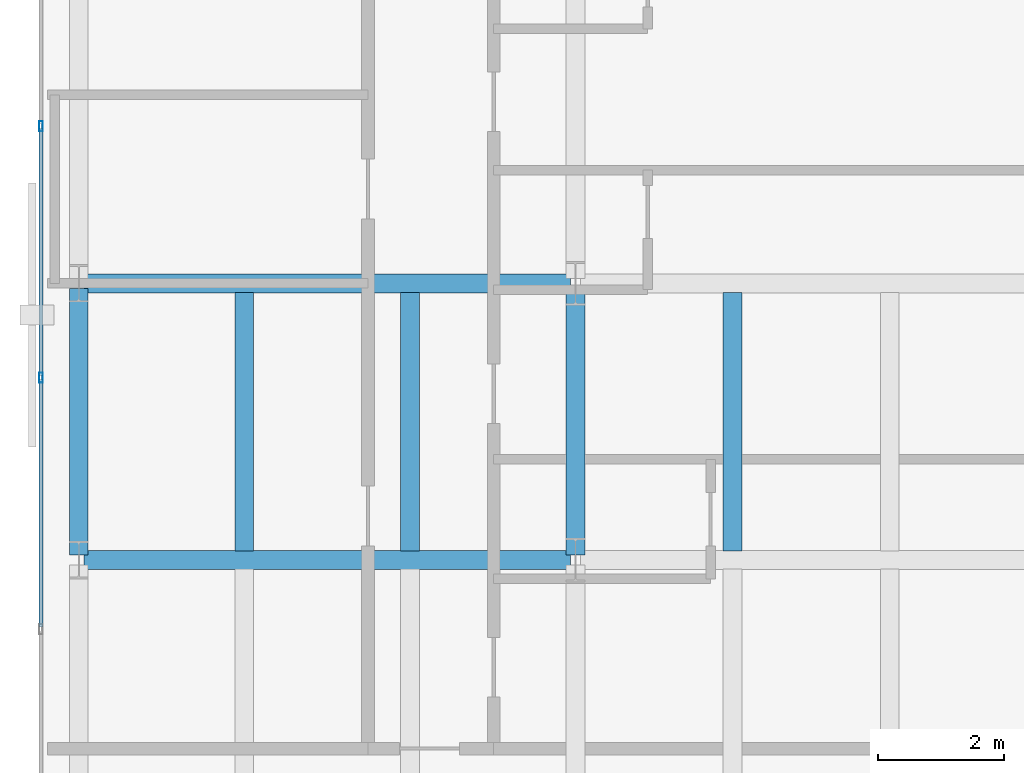
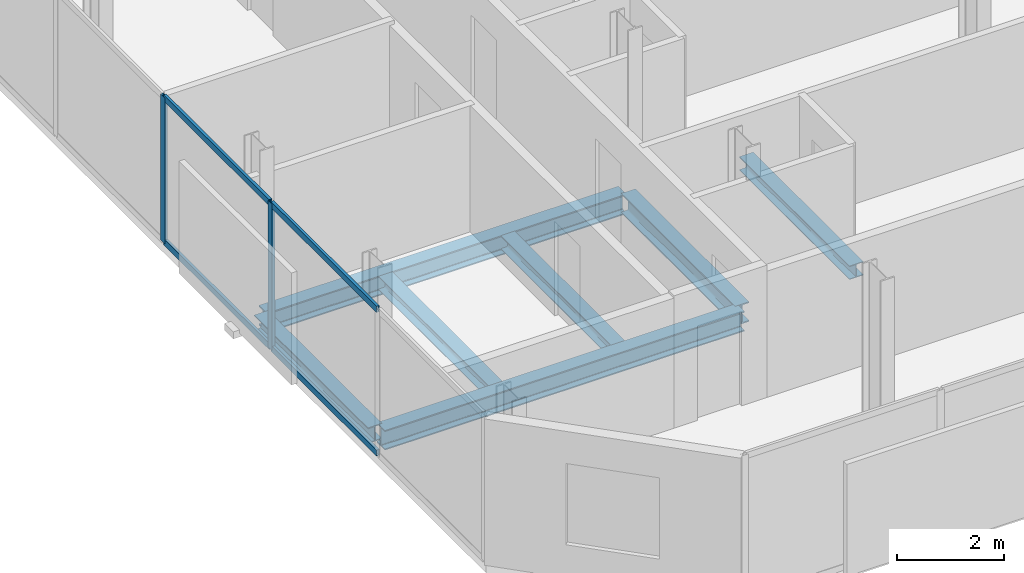
# One storey, part 5 of 32: 7 beams, 6 members, 1 element without a shape of its own.
"""IFC4 building model written with IfcOpenShell, lengths in metres."""

from ifc_helpers import new_model, si_unit, direction, frame, origin, origin_2d, place, context, subcontext, project, spatial, hollow_rectangle, i_section, extrude, material, layer, layer_set, material_profile, profile_set, type_object, element, aggregate, save


model = new_model("IFC4")

# Units and contexts
model_context = context("Model", 3, precision=1e-05, world=origin(), true_north=direction((0.0, 1.0)))
body_context = subcontext(model_context, "Body", "Model", "MODEL_VIEW")
ifc_project = project(units=[si_unit("LENGTHUNIT", "METRE"), si_unit("AREAUNIT", "SQUARE_METRE"), si_unit("VOLUMEUNIT", "CUBIC_METRE"), si_unit("PLANEANGLEUNIT", "RADIAN"), si_unit("MASSUNIT", "GRAM", prefix="KILO")], contexts=[model_context])

# Site, building, storey
site_placement = place(None, origin())
site = spatial("IfcSite", under=ifc_project, at=site_placement, CompositionType="ELEMENT")
building_placement = place(site_placement, origin())
building = spatial("IfcBuilding", under=site, at=building_placement, Name="Catumbela Crestline Tower", CompositionType="ELEMENT")
storey_placement = place(building_placement, frame((0.0, 0.0, 122.4)))
storey = spatial("IfcBuildingStorey", under=building, at=storey_placement, Name="L31", CompositionType="ELEMENT", Elevation=122.4)

# Beams
ifc_material_1 = material(Name="Structural steel S355J2", Category="steel")
ifc_material_profile_1 = material_profile(ifc_material_1, i_section(OverallWidth=0.3, OverallDepth=0.45, WebThickness=0.014, FlangeThickness=0.026, FilletRadius=0.027, at=origin_2d()), Name="HEB 450")
ifc_profile_set_1 = profile_set([ifc_material_profile_1], Name="Structural steel S355J2")
beam_type_1 = type_object("IfcBeamType", Name="BG-HEB450", PredefinedType="BEAM", material=ifc_profile_set_1)
for number, where, z_axis, x_axis, name in (
    (1, (0.68, 13.6, -0.485), (1.0, 0.0, 0.0), (0.0, 1.0, 0.0), "L31 Beam BM-L31-WEW46"),
    (2, (0.68, 18.0, -0.485), (1.0, 0.0, 0.0), (0.0, 1.0, 0.0), "L31 Beam BM-L31-WEW49"),
):
    element("IfcBeam", number, at=place(storey_placement, frame(where, z_axis=z_axis, x_axis=x_axis)), inside=storey, type_object=beam_type_1, Name=name, PredefinedType="BEAM", context=body_context, shape_type="SweptSolid", body=[
        extrude(i_section(OverallWidth=0.3, OverallDepth=0.45, WebThickness=0.014, FlangeThickness=0.026, FilletRadius=0.027, at=origin_2d()), origin(), (0.0, 0.0, 1.0), 7.74),
    ])
beam_1_placement = place(storey_placement, frame((8.5, 13.68, -0.485), z_axis=(0.0, 1.0, 0.0), x_axis=(-1.0, 0.0, 0.0)))
element("IfcBeam", 3, at=beam_1_placement, inside=storey, type_object=beam_type_1, Name="L31 Beam BM-L31-WNS56", PredefinedType="BEAM", context=body_context, shape_type="SweptSolid", body=[
    extrude(i_section(OverallWidth=0.3, OverallDepth=0.45, WebThickness=0.014, FlangeThickness=0.026, FilletRadius=0.027, at=origin_2d()), origin(), (0.0, 0.0, 1.0), 4.24),
])
ifc_material_profile_2 = material_profile(ifc_material_1, i_section(OverallWidth=0.3, OverallDepth=0.31, WebThickness=0.009, FlangeThickness=0.0155, FilletRadius=0.027, at=origin_2d()), Name="HEA 320")
ifc_profile_set_2 = profile_set([ifc_material_profile_2], Name="Structural steel S355J2")
beam_type_2 = type_object("IfcBeamType", Name="BJ-HEA320", PredefinedType="JOIST", material=ifc_profile_set_2)
for number, where, z_axis, x_axis, name in (
    (4, (3.233, 13.747, -0.415), (0.0, 1.0, 0.0), (-1.0, 0.0, 0.0), "L31 Joist JS-L31-WG69"),
    (5, (5.867, 13.747, -0.415), (0.0, 1.0, 0.0), (-1.0, 0.0, 0.0), "L31 Joist JS-L31-WG70"),
    (6, (11.0, 13.747, -0.415), (0.0, 1.0, 0.0), (-1.0, 0.0, 0.0), "L31 Joist JS-L31-WG71"),
):
    element("IfcBeam", number, at=place(storey_placement, frame(where, z_axis=z_axis, x_axis=x_axis)), inside=storey, type_object=beam_type_2, Name=name, PredefinedType="JOIST", context=body_context, shape_type="SweptSolid", body=[
        extrude(i_section(OverallWidth=0.3, OverallDepth=0.31, WebThickness=0.009, FlangeThickness=0.0155, FilletRadius=0.027, at=origin_2d()), origin(), (0.0, 0.0, 1.0), 4.106),
    ])

# Curtain wall, members
ifc_material_2 = material(Name="Aluminium alloy AW-6060-T66", Category="aluminium")
ifc_layer = layer(ifc_material_2, 0.18, Name="Aluminium alloy AW-6060-T66")
ifc_layer_set = layer_set([ifc_layer], Name="Aluminium alloy AW-6060-T66")
curtain_wall_type = type_object("IfcCurtainWallType", Name="CWU-Z2", PredefinedType="USERDEFINED", material=ifc_layer_set)
curtain_wall_placement = place(storey_placement, origin())
curtain_wall = element("IfcCurtainWall", 7, at=curtain_wall_placement, inside=storey, type_object=curtain_wall_type, Name="L31 Unitised Curtain Wall CW-L31-E9S1", ObjectType="UNITISED", PredefinedType="USERDEFINED")
ifc_material_profile_3 = material_profile(ifc_material_2, hollow_rectangle(XDim=0.06, YDim=0.16, WallThickness=0.004, at=origin_2d()), Name="ALU 160x60x4")
ifc_profile_set_3 = profile_set([ifc_material_profile_3], Name="Aluminium alloy AW-6060-T66")
member_type_1 = type_object("IfcMemberType", Name="MUL-160X60", PredefinedType="MULLION", material=ifc_profile_set_3)
member_1_placement = place(storey_placement, frame((0.0, 20.5, 0.0), z_axis=(0.0, 0.0, 1.0), x_axis=(1.0, 0.0, 0.0)))
member_1 = element("IfcMember", 8, at=member_1_placement, type_object=member_type_1, Name="CWU-Z2 mullion 7", PredefinedType="MULLION", context=body_context, shape_type="SweptSolid", body=[
    extrude(hollow_rectangle(XDim=0.06, YDim=0.16, WallThickness=0.004, at=origin_2d()), origin(), (0.0, 0.0, 1.0), 3.33),
])
member_2_placement = place(storey_placement, frame((0.0, 16.5, 0.0), z_axis=(0.0, 0.0, 1.0), x_axis=(1.0, 0.0, 0.0)))
member_2 = element("IfcMember", 9, at=member_2_placement, type_object=member_type_1, Name="CWU-Z2 mullion 8", PredefinedType="MULLION", context=body_context, shape_type="SweptSolid", body=[
    extrude(hollow_rectangle(XDim=0.06, YDim=0.16, WallThickness=0.004, at=origin_2d()), origin(), (0.0, 0.0, 1.0), 3.33),
])

# Beam
ifc_material_profile_4 = material_profile(ifc_material_1, i_section(OverallWidth=0.3, OverallDepth=0.36, WebThickness=0.0125, FlangeThickness=0.0225, FilletRadius=0.027, at=origin_2d()), Name="HEB 360")
ifc_profile_set_4 = profile_set([ifc_material_profile_4], Name="Structural steel S355J2")
beam_type_3 = type_object("IfcBeamType", Name="BS-HEB360", PredefinedType="SPANDREL", material=ifc_profile_set_4)
beam_2_placement = place(storey_placement, frame((0.6, 13.68, -0.44), z_axis=(0.0, 1.0, 0.0), x_axis=(-1.0, 0.0, 0.0)))
element("IfcBeam", 10, at=beam_2_placement, inside=storey, type_object=beam_type_3, Name="L31 Spandrel SP-L31-WNS53", PredefinedType="SPANDREL", context=body_context, shape_type="SweptSolid", body=[
    extrude(i_section(OverallWidth=0.3, OverallDepth=0.36, WebThickness=0.0125, FlangeThickness=0.0225, FilletRadius=0.027, at=origin_2d()), origin(), (0.0, 0.0, 1.0), 4.24),
])

# Member
ifc_material_profile_5 = material_profile(ifc_material_2, hollow_rectangle(XDim=0.06, YDim=0.14, WallThickness=0.004, at=origin_2d()), Name="ALU 140x60x4")
ifc_profile_set_5 = profile_set([ifc_material_profile_5], Name="Aluminium alloy AW-6060-T66")
member_type_2 = type_object("IfcMemberType", Name="TRN-140X60", PredefinedType="USERDEFINED", material=ifc_profile_set_5)
member_3_placement = place(storey_placement, frame((0.0, 20.4675, 0.03), z_axis=(0.0, -1.0, 0.0), x_axis=(1.0, 0.0, 0.0)))
member_3 = element("IfcMember", 11, at=member_3_placement, type_object=member_type_2, Name="CWU-Z2 transom 7.1", ObjectType="TRANSOM", PredefinedType="USERDEFINED", context=body_context, shape_type="SweptSolid", body=[
    extrude(hollow_rectangle(XDim=0.06, YDim=0.14, WallThickness=0.004, at=origin_2d()), origin(), (0.0, 0.0, 1.0), 3.935),
])

member_4_placement = place(storey_placement, frame((0.0, 20.4675, 3.3), z_axis=(0.0, -1.0, 0.0), x_axis=(1.0, 0.0, 0.0)))
member_4 = element("IfcMember", 12, at=member_4_placement, type_object=member_type_2, Name="CWU-Z2 transom 7.2", ObjectType="TRANSOM", PredefinedType="USERDEFINED", context=body_context, shape_type="SweptSolid", body=[
    extrude(hollow_rectangle(XDim=0.06, YDim=0.14, WallThickness=0.004, at=origin_2d()), origin(), (0.0, 0.0, 1.0), 3.935),
])

member_5_placement = place(storey_placement, frame((0.0, 16.4675, 0.03), z_axis=(0.0, -1.0, 0.0), x_axis=(1.0, 0.0, 0.0)))
member_5 = element("IfcMember", 13, at=member_5_placement, type_object=member_type_2, Name="CWU-Z2 transom 8.1", ObjectType="TRANSOM", PredefinedType="USERDEFINED", context=body_context, shape_type="SweptSolid", body=[
    extrude(hollow_rectangle(XDim=0.06, YDim=0.14, WallThickness=0.004, at=origin_2d()), origin(), (0.0, 0.0, 1.0), 3.935),
])

member_6_placement = place(storey_placement, frame((0.0, 16.4675, 3.3), z_axis=(0.0, -1.0, 0.0), x_axis=(1.0, 0.0, 0.0)))
member_6 = element("IfcMember", 14, at=member_6_placement, type_object=member_type_2, Name="CWU-Z2 transom 8.2", ObjectType="TRANSOM", PredefinedType="USERDEFINED", context=body_context, shape_type="SweptSolid", body=[
    extrude(hollow_rectangle(XDim=0.06, YDim=0.14, WallThickness=0.004, at=origin_2d()), origin(), (0.0, 0.0, 1.0), 3.935),
])

aggregate(curtain_wall, [member_1, member_2, member_3, member_4, member_5, member_6])

save(model, "model.ifc")
